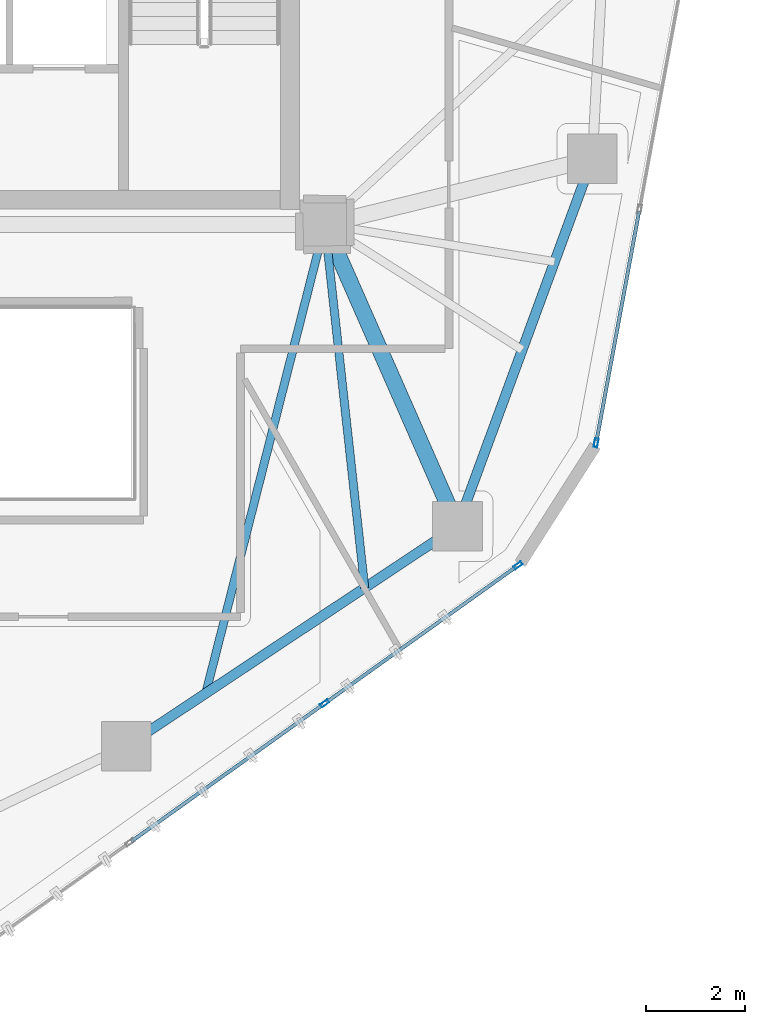
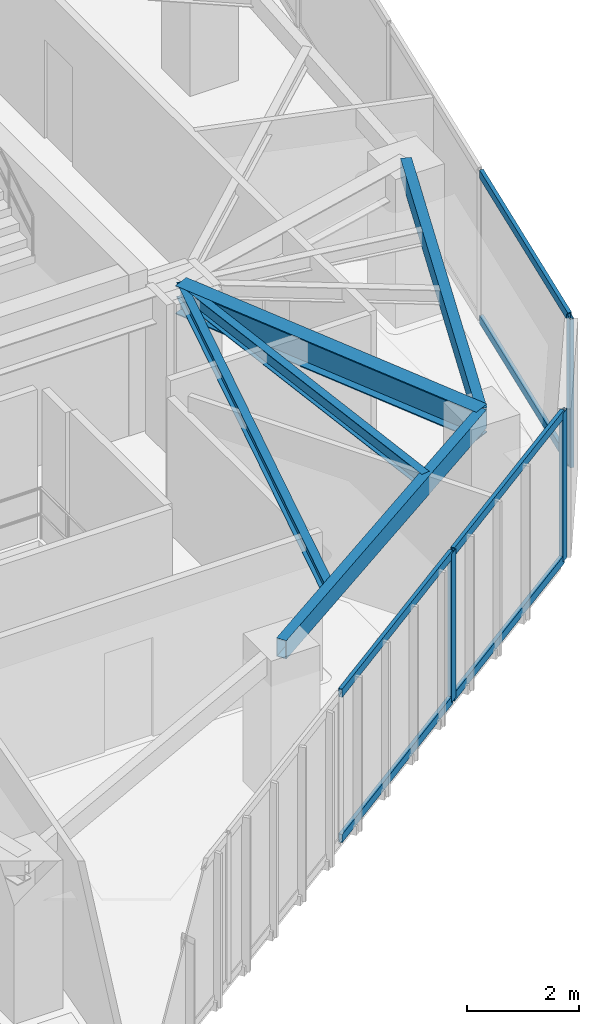
# One storey, part 5 of 19: 9 members, 5 beams, 2 elements without a shape of their own.
"""IFC4 building model written with IfcOpenShell, lengths in metres."""

from ifc_helpers import new_model, si_unit, direction, frame, origin, origin_2d, place, context, subcontext, project, spatial, hollow_rectangle, i_section, extrude, source, transform, mapped, material, layer, layer_set, material_profile, profile_set, type_object, type_shapes, element, aggregate, save


model = new_model("IFC4")

# Units and contexts
model_context = context("Model", 3, precision=1e-05, world=origin(), true_north=direction((0.0, 1.0)))
body_context = subcontext(model_context, "Body", "Model", "MODEL_VIEW")
ifc_project = project(units=[si_unit("LENGTHUNIT", "METRE"), si_unit("AREAUNIT", "SQUARE_METRE"), si_unit("VOLUMEUNIT", "CUBIC_METRE"), si_unit("PLANEANGLEUNIT", "RADIAN"), si_unit("MASSUNIT", "GRAM", prefix="KILO")], contexts=[model_context])

# Site, building, storey
site_placement = place(None, origin())
site = spatial("IfcSite", under=ifc_project, at=site_placement, CompositionType="ELEMENT")
building_placement = place(site_placement, origin())
building = spatial("IfcBuilding", under=site, at=building_placement, Name="Talar Marvaseh", CompositionType="ELEMENT")
storey_placement = place(building_placement, frame((0.0, 0.0, 195.0)))
storey = spatial("IfcBuildingStorey", under=building, at=storey_placement, Name="L51", CompositionType="ELEMENT", Elevation=195.0)

# Beams
ifc_material_1 = material(Name="Steel S355", Category="steel")
ifc_material_profile_1 = material_profile(ifc_material_1, hollow_rectangle(XDim=0.199951171875, YDim=0.39990234375, WallThickness=0.013916015625, at=origin_2d()), Name="RHS400x200x14")
ifc_profile_set_1 = profile_set([ifc_material_profile_1], Name="Steel S355")
beam_type_1 = type_object("IfcBeamType", Name="Zone 3 Perimeter Spandrel Beam RHS400x200x14", PredefinedType="SPANDREL", material=ifc_profile_set_1)
beam_1_placement = place(storey_placement, frame((38.68896484375, 26.823974609375, 3.030029296875), z_axis=(-0.344742291376, -0.938697370049, 0.0), x_axis=(0.938697370049, -0.344742291376, 0.0)))
element("IfcBeam", 1, at=beam_1_placement, inside=storey, type_object=beam_type_1, Name="L51 Zone 3 Perimeter Spandrel Beam RHS400x200x14", PredefinedType="SPANDREL", context=body_context, shape_type="SweptSolid", body=[
    extrude(hollow_rectangle(XDim=0.199951171875, YDim=0.39990234375, WallThickness=0.013916015625, at=origin_2d()), origin(), (0.0, 0.0, 1.0), 7.88427734375),
])
beam_2_placement = place(storey_placement, frame((35.970947265625, 19.423095703125, 3.030029296875), z_axis=(-0.833127464163, -0.553081032452, 0.0), x_axis=(0.553081032452, -0.833127464163, 0.0)))
element("IfcBeam", 2, at=beam_2_placement, inside=storey, type_object=beam_type_1, Name="L51 Zone 3 Perimeter Spandrel Beam RHS400x200x14", PredefinedType="SPANDREL", context=body_context, shape_type="SweptSolid", body=[
    extrude(hollow_rectangle(XDim=0.199951171875, YDim=0.39990234375, WallThickness=0.013916015625, at=origin_2d()), origin(), (0.0, 0.0, 1.0), 8.00830078125),
])
ifc_material_profile_2 = material_profile(ifc_material_1, i_section(OverallWidth=0.324951171875, OverallDepth=0.615966796875, WebThickness=0.013916015625, FlangeThickness=0.021484375, at=origin_2d()), Name="W610x174")
ifc_profile_set_2 = profile_set([ifc_material_profile_2], Name="Steel S355")
beam_type_2 = type_object("IfcBeamType", Name="Zone 3 Radial Floor Girder W610x174", PredefinedType="BEAM", material=ifc_profile_set_2)
beam_3_placement = place(storey_placement, frame((35.970947265625, 19.423095703125, 2.922119140625), z_axis=(-0.402367581672, 0.91547819702, 0.0), x_axis=(-0.91547819702, -0.402367581672, 0.0)))
element("IfcBeam", 3, at=beam_3_placement, inside=storey, type_object=beam_type_2, Name="L51 Zone 3 Radial Floor Girder W610x174", PredefinedType="BEAM", context=body_context, shape_type="SweptSolid", body=[
    extrude(i_section(OverallWidth=0.324951171875, OverallDepth=0.615966796875, WebThickness=0.013916015625, FlangeThickness=0.021484375, at=origin_2d()), origin(), (0.0, 0.0, 1.0), 6.637939453125),
])
ifc_material_profile_3 = material_profile(ifc_material_1, i_section(OverallWidth=0.166015625, OverallDepth=0.31298828125, WebThickness=0.006591796875, FlangeThickness=0.01123046875, at=origin_2d()), Name="W310x45")
ifc_profile_set_3 = profile_set([ifc_material_profile_3], Name="Steel S355")
beam_type_3 = type_object("IfcBeamType", Name="Zone 3 Secondary Floor Joist W310x45", PredefinedType="JOIST", material=ifc_profile_set_3)
beam_4_placement = place(storey_placement, frame((34.102783203125, 18.182861328125, 3.073486328125), z_axis=(-0.109051770147, 0.994036071492, 0.0), x_axis=(-0.994036071492, -0.109051770147, 0.0)))
element("IfcBeam", 4, at=beam_4_placement, inside=storey, type_object=beam_type_3, Name="L51 Zone 3 Secondary Floor Joist W310x45", PredefinedType="JOIST", context=body_context, shape_type="SweptSolid", body=[
    extrude(i_section(OverallWidth=0.166015625, OverallDepth=0.31298828125, WebThickness=0.006591796875, FlangeThickness=0.01123046875, at=origin_2d()), origin(), (0.0, 0.0, 1.0), 7.361083984375),
])
beam_5_placement = place(storey_placement, frame((30.900390625, 16.056884765625, 3.073486328125), z_axis=(0.246289474123, 0.96919631393, 0.0), x_axis=(-0.96919631393, 0.246289474123, 0.0)))
element("IfcBeam", 5, at=beam_5_placement, inside=storey, type_object=beam_type_3, Name="L51 Zone 3 Secondary Floor Joist W310x45", PredefinedType="JOIST", context=body_context, shape_type="SweptSolid", body=[
    extrude(i_section(OverallWidth=0.166015625, OverallDepth=0.31298828125, WebThickness=0.006591796875, FlangeThickness=0.01123046875, at=origin_2d()), origin(), (0.0, 0.0, 1.0), 9.7431640625),
])

# Curtain wall, member
ifc_material_2 = material(Name="Architectural Aluminium", Category="aluminium")
ifc_layer = layer(ifc_material_2, 0.18994140625)
ifc_layer_set = layer_set([ifc_layer], Name="Architectural Aluminium")
curtain_wall_type = type_object("IfcCurtainWallType", Name="Unitised Solar Atelier Curtain Wall Z3", PredefinedType="NOTDEFINED", material=ifc_layer_set)
curtain_wall_1_placement = place(storey_placement, origin())
curtain_wall_1 = element("IfcCurtainWall", 6, at=curtain_wall_1_placement, inside=storey, type_object=curtain_wall_type, Name="L51 Unitised Solar Atelier Curtain Wall Z3", PredefinedType="NOTDEFINED")
ifc_material_profile_4 = material_profile(ifc_material_2, hollow_rectangle(XDim=0.074951171875, YDim=0.179931640625, WallThickness=0.0048828125, at=origin_2d()), Name="RHS180x75x5")
ifc_profile_set_4 = profile_set([ifc_material_profile_4], Name="Architectural Aluminium")
member_type_1 = type_object("IfcMemberType", Name="Unitised Curtain Wall Standard Mullion RHS180x75x5", PredefinedType="MULLION", material=ifc_profile_set_4)
shared_shape_1 = source(origin(), body_context, "Body", "SweptSolid", [
    extrude(hollow_rectangle(XDim=0.074951171875, YDim=0.179931640625, WallThickness=0.0048828125, at=origin_2d()), origin(), (0.0, 0.0, 1.0), 3.22998046875),
])
type_shapes(member_type_1, [shared_shape_1])
member_1_placement = place(storey_placement, frame((38.764892578125, 21.104736328125, 0.0), z_axis=(0.0, 0.0, 1.0), x_axis=(0.983226848448, -0.182386853944, 0.0)))
member_1 = element("IfcMember", 7, at=member_1_placement, type_object=member_type_1, Name="CW-Z3 mullion 5", PredefinedType="MULLION", context=body_context, shape_type="MappedRepresentation", body=[
    mapped(shared_shape_1, transform((0.0, 0.0, 0.0), x_axis=(1.0, 0.0, 0.0), y_axis=(0.0, 1.0, 0.0), z_axis=(0.0, 0.0, 1.0), scale=1.0)),
])

# Curtain wall, members
curtain_wall_2_placement = place(storey_placement, origin())
curtain_wall_2 = element("IfcCurtainWall", 8, at=curtain_wall_2_placement, inside=storey, type_object=curtain_wall_type, Name="L51 Unitised Solar Atelier Curtain Wall Z3", PredefinedType="NOTDEFINED")
member_2_placement = place(storey_placement, frame((37.190673828125, 18.634033203125, 0.0), z_axis=(0.0, 0.0, 1.0), x_axis=(0.580830576607, -0.814024472162, 0.0)))
member_2 = element("IfcMember", 9, at=member_2_placement, type_object=member_type_1, Name="CW-Z3 mullion 1", PredefinedType="MULLION", context=body_context, shape_type="MappedRepresentation", body=[
    mapped(shared_shape_1, transform((0.0, 0.0, 0.0), x_axis=(1.0, 0.0, 0.0), y_axis=(0.0, 1.0, 0.0), z_axis=(0.0, 0.0, 1.0), scale=1.0)),
])
member_3_placement = place(storey_placement, frame((33.296142578125, 15.85498046875, 0.0), z_axis=(0.0, 0.0, 1.0), x_axis=(0.580830576607, -0.814024472162, 0.0)))
member_3 = element("IfcMember", 10, at=member_3_placement, type_object=member_type_1, Name="CW-Z3 mullion 2", PredefinedType="MULLION", context=body_context, shape_type="MappedRepresentation", body=[
    mapped(shared_shape_1, transform((0.0, 0.0, 0.0), x_axis=(1.0, 0.0, 0.0), y_axis=(0.0, 1.0, 0.0), z_axis=(0.0, 0.0, 1.0), scale=1.0)),
])

# Member
ifc_material_profile_5 = material_profile(ifc_material_2, hollow_rectangle(XDim=0.074951171875, YDim=0.179931640625, WallThickness=0.0048828125, at=origin_2d()), Name="RHS180x75x5")
ifc_profile_set_5 = profile_set([ifc_material_profile_5], Name="Architectural Aluminium")
member_type_2 = type_object("IfcMemberType", Name="Unitised Curtain Wall Transom RHS180x75x5", PredefinedType="USERDEFINED", material=ifc_profile_set_5)
shared_shape_2 = source(origin(), body_context, "Body", "SweptSolid", [
    extrude(hollow_rectangle(XDim=0.074951171875, YDim=0.179931640625, WallThickness=0.0048828125, at=origin_2d()), origin(), (0.0, 0.0, 1.0), 4.709716796875),
])
member_4_placement = place(storey_placement, frame((39.630615234375, 25.772216796875, 0.03759765625), z_axis=(-0.182369554572, -0.983230057293, 0.0), x_axis=(0.983230057293, -0.182369554572, 0.0)))
member_4 = element("IfcMember", 11, at=member_4_placement, type_object=member_type_2, Name="CW-Z3 transom 4.1", ObjectType="TRANSOM", PredefinedType="USERDEFINED", context=body_context, shape_type="MappedRepresentation", body=[
    mapped(shared_shape_2, transform((0.0, 0.0, 0.0), x_axis=(1.0, 0.0, 0.0), y_axis=(0.0, 1.0, 0.0), z_axis=(0.0, 0.0, 1.0), scale=1.0)),
])

member_5_placement = place(storey_placement, frame((39.630615234375, 25.772216796875, 3.1923828125), z_axis=(-0.182369554572, -0.983230057293, 0.0), x_axis=(0.983230057293, -0.182369554572, 0.0)))
member_5 = element("IfcMember", 12, at=member_5_placement, type_object=member_type_2, Name="CW-Z3 transom 4.2", ObjectType="TRANSOM", PredefinedType="USERDEFINED", context=body_context, shape_type="MappedRepresentation", body=[
    mapped(shared_shape_2, transform((0.0, 0.0, 0.0), x_axis=(1.0, 0.0, 0.0), y_axis=(0.0, 1.0, 0.0), z_axis=(0.0, 0.0, 1.0), scale=1.0)),
])

aggregate(curtain_wall_1, [member_1, member_4, member_5])

shared_shape_3 = source(origin(), body_context, "Body", "SweptSolid", [
    extrude(hollow_rectangle(XDim=0.074951171875, YDim=0.179931640625, WallThickness=0.0048828125, at=origin_2d()), origin(), (0.0, 0.0, 1.0), 4.746826171875),
])
member_6_placement = place(storey_placement, frame((33.265380859375, 15.8330078125, 0.03759765625), z_axis=(-0.814025283884, -0.58082943899, 0.0), x_axis=(0.58082943899, -0.814025283884, 0.0)))
member_6 = element("IfcMember", 13, at=member_6_placement, type_object=member_type_2, Name="CW-Z3 transom 2.1", ObjectType="TRANSOM", PredefinedType="USERDEFINED", context=body_context, shape_type="MappedRepresentation", body=[
    mapped(shared_shape_3, transform((0.0, 0.0, 0.0), x_axis=(1.0, 0.0, 0.0), y_axis=(0.0, 1.0, 0.0), z_axis=(0.0, 0.0, 1.0), scale=1.0)),
])

member_7_placement = place(storey_placement, frame((33.265380859375, 15.8330078125, 3.1923828125), z_axis=(-0.814025283884, -0.58082943899, 0.0), x_axis=(0.58082943899, -0.814025283884, 0.0)))
member_7 = element("IfcMember", 14, at=member_7_placement, type_object=member_type_2, Name="CW-Z3 transom 2.2", ObjectType="TRANSOM", PredefinedType="USERDEFINED", context=body_context, shape_type="MappedRepresentation", body=[
    mapped(shared_shape_3, transform((0.0, 0.0, 0.0), x_axis=(1.0, 0.0, 0.0), y_axis=(0.0, 1.0, 0.0), z_axis=(0.0, 0.0, 1.0), scale=1.0)),
])

shared_shape_4 = source(origin(), body_context, "Body", "SweptSolid", [
    extrude(hollow_rectangle(XDim=0.074951171875, YDim=0.179931640625, WallThickness=0.0048828125, at=origin_2d()), origin(), (0.0, 0.0, 1.0), 4.709228515625),
])
type_shapes(member_type_2, [shared_shape_2, shared_shape_3, shared_shape_4])
member_8_placement = place(storey_placement, frame((37.16015625, 18.612060546875, 0.03759765625), z_axis=(-0.814020603675, -0.58083599819, 0.0), x_axis=(0.58083599819, -0.814020603675, 0.0)))
member_8 = element("IfcMember", 15, at=member_8_placement, type_object=member_type_2, Name="CW-Z3 transom 1.1", ObjectType="TRANSOM", PredefinedType="USERDEFINED", context=body_context, shape_type="MappedRepresentation", body=[
    mapped(shared_shape_4, transform((0.0, 0.0, 0.0), x_axis=(1.0, 0.0, 0.0), y_axis=(0.0, 1.0, 0.0), z_axis=(0.0, 0.0, 1.0), scale=1.0)),
])

member_9_placement = place(storey_placement, frame((37.16015625, 18.612060546875, 3.1923828125), z_axis=(-0.814020603675, -0.58083599819, 0.0), x_axis=(0.58083599819, -0.814020603675, 0.0)))
member_9 = element("IfcMember", 16, at=member_9_placement, type_object=member_type_2, Name="CW-Z3 transom 1.2", ObjectType="TRANSOM", PredefinedType="USERDEFINED", context=body_context, shape_type="MappedRepresentation", body=[
    mapped(shared_shape_4, transform((0.0, 0.0, 0.0), x_axis=(1.0, 0.0, 0.0), y_axis=(0.0, 1.0, 0.0), z_axis=(0.0, 0.0, 1.0), scale=1.0)),
])

aggregate(curtain_wall_2, [member_2, member_3, member_8, member_9, member_6, member_7])

save(model, "model.ifc")
